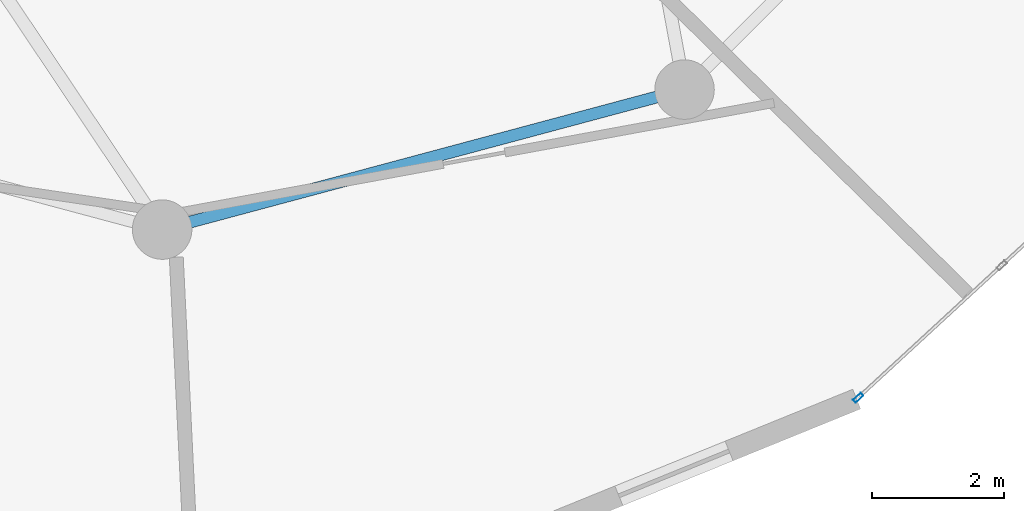
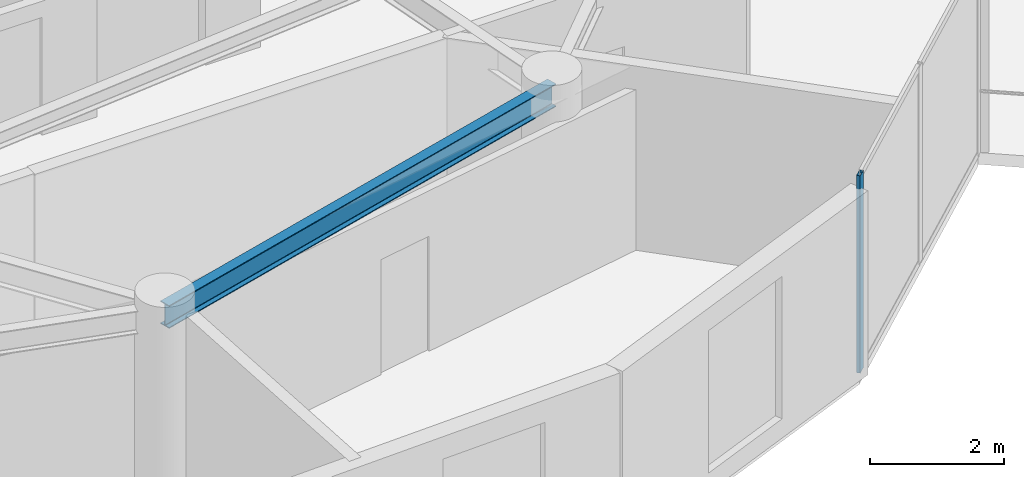
# One storey, part 6 of 24: 1 beam, 1 member, 1 element without a shape of its own.
"""IFC4 building model written with IfcOpenShell, lengths in metres."""

from ifc_helpers import new_model, si_unit, direction, frame, origin, origin_2d, place, context, subcontext, project, spatial, hollow_rectangle, i_section, extrude, source, transform, mapped, material, layer, layer_set, material_profile, profile_set, type_object, element, aggregate, save


model = new_model("IFC4")

# Units and contexts
model_context = context("Model", 3, precision=1e-05, world=origin(), true_north=direction((0.0, 1.0)))
body_context = subcontext(model_context, "Body", "Model", "MODEL_VIEW")
ifc_project = project(units=[si_unit("LENGTHUNIT", "METRE"), si_unit("AREAUNIT", "SQUARE_METRE"), si_unit("VOLUMEUNIT", "CUBIC_METRE"), si_unit("PLANEANGLEUNIT", "RADIAN"), si_unit("MASSUNIT", "GRAM", prefix="KILO")], contexts=[model_context])

# Site, building, storey
site_placement = place(None, origin())
site = spatial("IfcSite", under=ifc_project, at=site_placement, CompositionType="ELEMENT")
building_placement = place(site_placement, origin())
building = spatial("IfcBuilding", under=site, at=building_placement, Name="Solvirekh Grand Hotel", CompositionType="ELEMENT")
storey_placement = place(building_placement, frame((0.0, 0.0, 184.0)))
storey = spatial("IfcBuildingStorey", under=building, at=storey_placement, Name="L47", CompositionType="ELEMENT", Elevation=184.0)

# Beam
ifc_material_1 = material(Name="Steel S355", Category="steel")
ifc_material_profile_1 = material_profile(ifc_material_1, i_section(OverallWidth=0.180908203125, OverallDepth=0.4169921875, WebThickness=0.010009765625, FlangeThickness=0.01611328125, FilletRadius=0.011962890625, at=origin_2d()), Name="W410X85")
ifc_profile_set_1 = profile_set([ifc_material_profile_1], Name="Steel S355")
beam_type = type_object("IfcBeamType", Name="Spandrel_Ring_W410", PredefinedType="SPANDREL", material=ifc_profile_set_1)
beam_placement = place(storey_placement, frame((0.0, -15.800048828125, 3.152099609375), z_axis=(0.965920601923, 0.258838541915, 0.0), x_axis=(-0.258838541915, 0.965920601923, 0.0)))
element("IfcBeam", 1, at=beam_placement, inside=storey, type_object=beam_type, Name="L47 perimeter spandrel beam 10", PredefinedType="SPANDREL", context=body_context, shape_type="SweptSolid", body=[
    extrude(i_section(OverallWidth=0.180908203125, OverallDepth=0.4169921875, WebThickness=0.010009765625, FlangeThickness=0.01611328125, FilletRadius=0.011962890625, at=origin_2d()), origin(), (0.0, 0.0, 1.0), 8.1787109375),
])

# Curtain wall, member
ifc_material_2 = material(Name="Anodized Bronze Aluminium 6063-T6", Category="aluminium")
ifc_layer = layer(ifc_material_2, 0.159912109375)
ifc_layer_set = layer_set([ifc_layer], Name="Anodized Bronze Aluminium 6063-T6")
curtain_wall_type = type_object("IfcCurtainWallType", Name="CW_Sys4_HighZoneFlushBronzeCW", PredefinedType="NOTDEFINED", material=ifc_layer_set)
curtain_wall_placement = place(storey_placement, origin())
curtain_wall = element("IfcCurtainWall", 2, at=curtain_wall_placement, inside=storey, type_object=curtain_wall_type, Name="L47 unitised bronze-glass curtain wall CW-L47-C01", PredefinedType="NOTDEFINED")
ifc_material_profile_2 = material_profile(ifc_material_2, hollow_rectangle(XDim=0.06005859375, YDim=0.159912109375, WallThickness=0.0048828125, at=origin_2d()), Name="ALU RHS 160X60X5")
ifc_profile_set_2 = profile_set([ifc_material_profile_2], Name="Anodized Bronze Aluminium 6063-T6")
member_type = type_object("IfcMemberType", Name="CWMullion_Sys4", PredefinedType="MULLION", material=ifc_profile_set_2)
shared_shape = source(origin(), body_context, "Body", "SweptSolid", [
    extrude(hollow_rectangle(XDim=0.06005859375, YDim=0.159912109375, WallThickness=0.0048828125, at=origin_2d()), origin(), (0.0, 0.0, 1.0), 3.60009765625),
])
member_placement = place(storey_placement, frame((10.526123046875, -18.34375, 0.0), z_axis=(0.0, 0.0, 1.0), x_axis=(-0.677869340512, 0.735182397228, 0.0)))
member = element("IfcMember", 3, at=member_placement, type_object=member_type, Name="U04 mullion 1", PredefinedType="MULLION", context=body_context, shape_type="MappedRepresentation", body=[
    mapped(shared_shape, transform((0.0, 0.0, 0.0), x_axis=(1.0, 0.0, 0.0), y_axis=(0.0, 1.0, 0.0), z_axis=(0.0, 0.0, 1.0), scale=1.0)),
])
aggregate(curtain_wall, [member])

save(model, "model.ifc")
